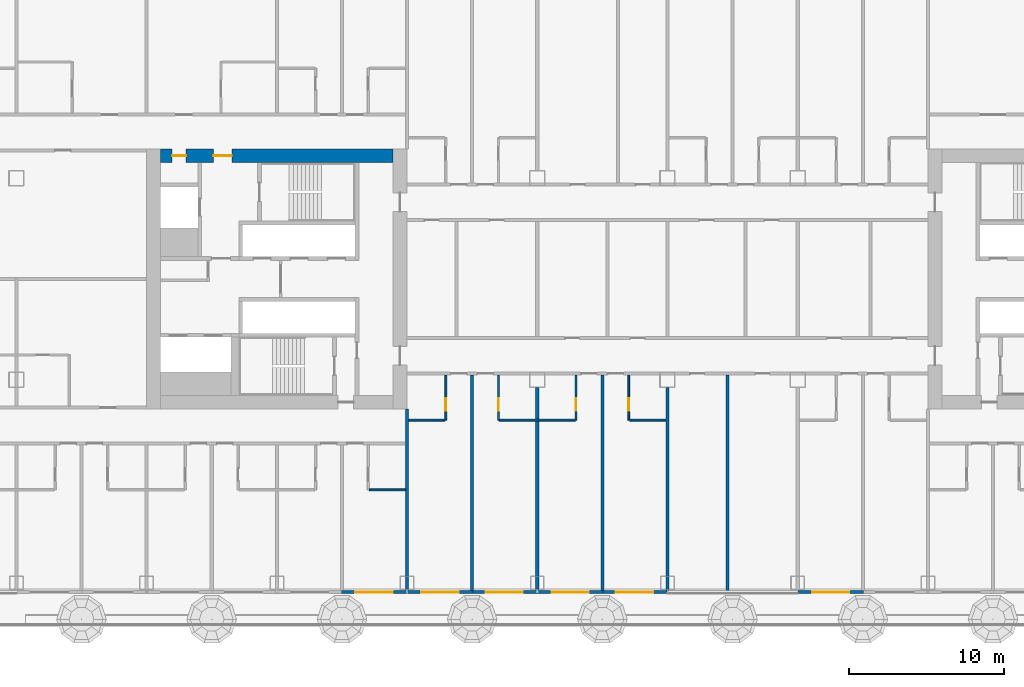
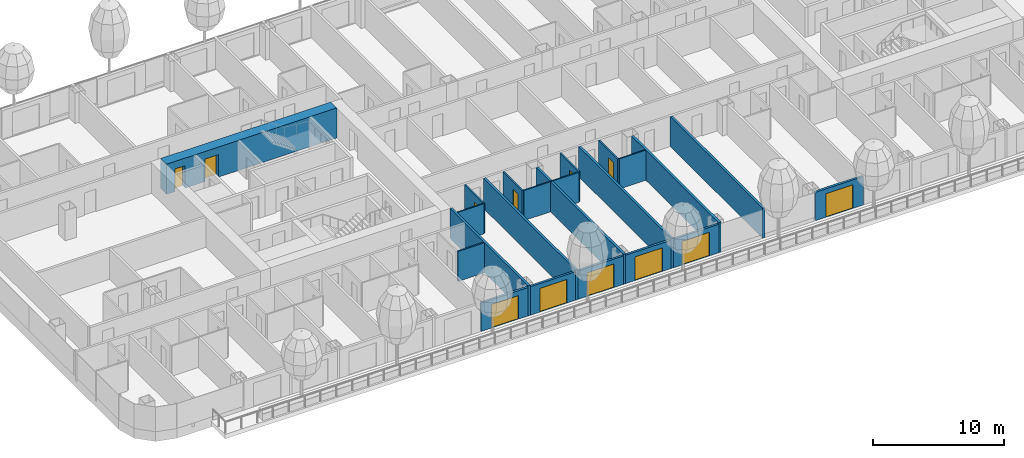
# One storey, part 15 of 37: 21 walls, 12 doors, 12 openings, 1 element without a shape of its own.
"""IFC4 building model written with IfcOpenShell, lengths in metres."""

from ifc_helpers import new_model, si_unit, direction, frame, frame_2d, origin, place, context, subcontext, project, spatial, rectangle, extrude, material, layer, layer_set, type_object, element, fill, aggregate, save


model = new_model("IFC4")

# Units and contexts
model_context = context("Model", 3, precision=1e-05, world=origin(), true_north=direction((0.0, 1.0)))
body_context = subcontext(model_context, "Body", "Model", "MODEL_VIEW")
ifc_project = project(units=[si_unit("LENGTHUNIT", "METRE"), si_unit("AREAUNIT", "SQUARE_METRE"), si_unit("VOLUMEUNIT", "CUBIC_METRE"), si_unit("PLANEANGLEUNIT", "RADIAN"), si_unit("MASSUNIT", "GRAM", prefix="KILO")], contexts=[model_context])

# Site, building, storey
site_placement = place(None, origin())
site = spatial("IfcSite", under=ifc_project, at=site_placement, CompositionType="ELEMENT")
building_placement = place(site_placement, origin())
building = spatial("IfcBuilding", under=site, at=building_placement, Name="Hakoniwa Tower and Hamabe Station Hall", CompositionType="ELEMENT")
storey_placement = place(building_placement, frame((0.0, 0.0, 39.0)))
storey = spatial("IfcBuildingStorey", under=building, at=storey_placement, Name="L10", CompositionType="ELEMENT", Elevation=39.0)

# Walls
ifc_material_1 = material(Name="Gypsum board partition", Category="gypsum")
ifc_layer_1 = layer(ifc_material_1, 0.125)
ifc_layer_set_1 = layer_set([ifc_layer_1], Name="Bathroom Partition 125")
wall_type_1 = type_object("IfcWallType", Name="Bathroom Partition 125", PredefinedType="PARTITIONING", material=ifc_layer_set_1)
wall_1_placement = place(storey_placement, frame((-19.237548828125, -13.60009765625, 0.0), z_axis=(0.0, 0.0, 1.0), x_axis=(1.0, 0.0, 0.0)))
element("IfcWall", 1, at=wall_1_placement, inside=storey, type_object=wall_type_1, Name="GW-L10-005", PredefinedType="PARTITIONING", context=body_context, shape_type="SweptSolid", body=[
    extrude(rectangle(XDim=2.337646484375, YDim=0.125, at=frame_2d((1.1689453125, 0.0))), origin(), (0.0, 0.0, 1.0), 2.800048828125),
])
wall_2_placement = place(storey_placement, frame((-16.699951171875, -9.10009765625, 0.0), z_axis=(0.0, 0.0, 1.0), x_axis=(1.0, 0.0, 0.0)))
element("IfcWall", 2, at=wall_2_placement, inside=storey, type_object=wall_type_1, Name="GW-L10-013", PredefinedType="PARTITIONING", context=body_context, shape_type="SweptSolid", body=[
    extrude(rectangle(XDim=2.33740234375, YDim=0.125, at=frame_2d((1.168701171875, 0.0))), origin(), (0.0, 0.0, 1.0), 2.800048828125),
])
wall_3_placement = place(storey_placement, frame((-10.83740234375, -9.10009765625, 0.0), z_axis=(0.0, 0.0, 1.0), x_axis=(1.0, 0.0, 0.0)))
element("IfcWall", 3, at=wall_3_placement, inside=storey, type_object=wall_type_1, Name="GW-L10-014", PredefinedType="PARTITIONING", context=body_context, shape_type="SweptSolid", body=[
    extrude(rectangle(XDim=4.875, YDim=0.125, at=frame_2d((2.4375, 0.0))), origin(), (0.0, 0.0, 1.0), 2.800048828125),
])
wall_4_placement = place(storey_placement, frame((-2.4375, -9.10009765625, 0.0), z_axis=(0.0, 0.0, 1.0), x_axis=(1.0, 0.0, 0.0)))
element("IfcWall", 4, at=wall_4_placement, inside=storey, type_object=wall_type_1, Name="GW-L10-015", PredefinedType="PARTITIONING", context=body_context, shape_type="SweptSolid", body=[
    extrude(rectangle(XDim=2.33740234375, YDim=0.125, at=frame_2d((1.168701171875, 0.0))), origin(), (0.0, 0.0, 1.0), 2.800048828125),
])

# Wall, opening, door
wall_5_placement = place(storey_placement, frame((-14.300048828125, -9.10009765625, 0.0), z_axis=(0.0, 0.0, 1.0), x_axis=(0.0, 1.0, 0.0)))
wall_5 = element("IfcWall", 5, at=wall_5_placement, inside=storey, type_object=wall_type_1, Name="GW-L10-078", PredefinedType="PARTITIONING", context=body_context, shape_type="SweptSolid", body=[
    extrude(rectangle(XDim=2.900146484375, YDim=0.125, at=frame_2d((1.4501953125, 0.0))), origin(), (0.0, 0.0, 1.0), 2.800048828125),
])
opening_1_placement = place(wall_5_placement, frame((0.60009765625, 0.0, 0.0)))
opening_1 = element("IfcOpeningElement", 6, at=opening_1_placement, cuts=wall_5, Name="Opening GD-G1B1-78", PredefinedType="OPENING", context=body_context, shape_type="SweptSolid", body=[
    extrude(rectangle(XDim=0.800048828125, YDim=2.10009765625, at=frame_2d((0.39990234375, 1.050048828125))), frame((0.0, 0.072509765625, 0.0), z_axis=(0.0, -1.0, 0.0), x_axis=(1.0, 0.0, 0.0)), (0.0, 0.0, 1.0), 0.14501953125),
])
ifc_material_2 = material(Name="Timber door leaf", Category="wood")
door_type_1 = type_object("IfcDoorType", Name="Bathroom Door 800", OperationType="SINGLE_SWING_LEFT", PredefinedType="DOOR", material=ifc_material_2)
door_1_placement = place(opening_1_placement, origin())
door_1 = element("IfcDoor", 7, at=door_1_placement, inside=storey, type_object=door_type_1, Name="Door GD-G1B1-78", OperationType="SINGLE_SWING_RIGHT", OverallHeight=2.10009765625, OverallWidth=0.800048828125, PredefinedType="DOOR", context=body_context, shape_type="SweptSolid", body=[
    extrude(rectangle(XDim=0.800048828125, YDim=2.10009765625, at=frame_2d((0.39990234375, 1.050048828125))), frame((0.0, 0.02490234375, 0.0), z_axis=(0.0, -1.0, 0.0), x_axis=(1.0, 0.0, 0.0)), (0.0, 0.0, 1.0), 0.050048828125),
])
fill(opening_1, door_1)

wall_6_placement = place(storey_placement, frame((-10.89990234375, -9.10009765625, 0.0), z_axis=(0.0, 0.0, 1.0), x_axis=(0.0, 1.0, 0.0)))
wall_6 = element("IfcWall", 8, at=wall_6_placement, inside=storey, type_object=wall_type_1, Name="GW-L10-083", PredefinedType="PARTITIONING", context=body_context, shape_type="SweptSolid", body=[
    extrude(rectangle(XDim=2.900146484375, YDim=0.125, at=frame_2d((1.4501953125, 0.0))), origin(), (0.0, 0.0, 1.0), 2.800048828125),
])
opening_2_placement = place(wall_6_placement, frame((0.60009765625, 0.0, 0.0)))
opening_2 = element("IfcOpeningElement", 9, at=opening_2_placement, cuts=wall_6, Name="Opening GD-G1B1-80", PredefinedType="OPENING", context=body_context, shape_type="SweptSolid", body=[
    extrude(rectangle(XDim=0.800048828125, YDim=2.10009765625, at=frame_2d((0.39990234375, 1.050048828125))), frame((0.0, 0.072509765625, 0.0), z_axis=(0.0, -1.0, 0.0), x_axis=(1.0, 0.0, 0.0)), (0.0, 0.0, 1.0), 0.14501953125),
])
door_2_placement = place(opening_2_placement, origin())
door_2 = element("IfcDoor", 10, at=door_2_placement, inside=storey, type_object=door_type_1, Name="Door GD-G1B1-80", OperationType="SINGLE_SWING_LEFT", OverallHeight=2.10009765625, OverallWidth=0.800048828125, PredefinedType="DOOR", context=body_context, shape_type="SweptSolid", body=[
    extrude(rectangle(XDim=0.800048828125, YDim=2.10009765625, at=frame_2d((0.39990234375, 1.050048828125))), frame((0.0, 0.02490234375, 0.0), z_axis=(0.0, -1.0, 0.0), x_axis=(1.0, 0.0, 0.0)), (0.0, 0.0, 1.0), 0.050048828125),
])
fill(opening_2, door_2)

wall_7_placement = place(storey_placement, frame((-5.89990234375, -9.10009765625, 0.0), z_axis=(0.0, 0.0, 1.0), x_axis=(0.0, 1.0, 0.0)))
wall_7 = element("IfcWall", 11, at=wall_7_placement, inside=storey, type_object=wall_type_1, Name="GW-L10-088", PredefinedType="PARTITIONING", context=body_context, shape_type="SweptSolid", body=[
    extrude(rectangle(XDim=2.900146484375, YDim=0.125, at=frame_2d((1.4501953125, 0.0))), origin(), (0.0, 0.0, 1.0), 2.800048828125),
])
opening_3_placement = place(wall_7_placement, frame((0.60009765625, 0.0, 0.0)))
opening_3 = element("IfcOpeningElement", 12, at=opening_3_placement, cuts=wall_7, Name="Opening GD-G1B1-82", PredefinedType="OPENING", context=body_context, shape_type="SweptSolid", body=[
    extrude(rectangle(XDim=0.800048828125, YDim=2.10009765625, at=frame_2d((0.39990234375, 1.050048828125))), frame((0.0, 0.072509765625, 0.0), z_axis=(0.0, -1.0, 0.0), x_axis=(1.0, 0.0, 0.0)), (0.0, 0.0, 1.0), 0.14501953125),
])
door_3_placement = place(opening_3_placement, origin())
door_3 = element("IfcDoor", 13, at=door_3_placement, inside=storey, type_object=door_type_1, Name="Door GD-G1B1-82", OperationType="SINGLE_SWING_RIGHT", OverallHeight=2.10009765625, OverallWidth=0.800048828125, PredefinedType="DOOR", context=body_context, shape_type="SweptSolid", body=[
    extrude(rectangle(XDim=0.800048828125, YDim=2.10009765625, at=frame_2d((0.39990234375, 1.050048828125))), frame((0.0, 0.02490234375, 0.0), z_axis=(0.0, -1.0, 0.0), x_axis=(1.0, 0.0, 0.0)), (0.0, 0.0, 1.0), 0.050048828125),
])
fill(opening_3, door_3)

wall_8_placement = place(storey_placement, frame((-2.5, -9.10009765625, 0.0), z_axis=(0.0, 0.0, 1.0), x_axis=(0.0, 1.0, 0.0)))
wall_8 = element("IfcWall", 14, at=wall_8_placement, inside=storey, type_object=wall_type_1, Name="GW-L10-092", PredefinedType="PARTITIONING", context=body_context, shape_type="SweptSolid", body=[
    extrude(rectangle(XDim=2.900146484375, YDim=0.125, at=frame_2d((1.4501953125, 0.0))), origin(), (0.0, 0.0, 1.0), 2.800048828125),
])
opening_4_placement = place(wall_8_placement, frame((0.60009765625, 0.0, 0.0)))
opening_4 = element("IfcOpeningElement", 15, at=opening_4_placement, cuts=wall_8, Name="Opening GD-G1B1-83", PredefinedType="OPENING", context=body_context, shape_type="SweptSolid", body=[
    extrude(rectangle(XDim=0.800048828125, YDim=2.10009765625, at=frame_2d((0.39990234375, 1.050048828125))), frame((0.0, 0.072509765625, 0.0), z_axis=(0.0, -1.0, 0.0), x_axis=(1.0, 0.0, 0.0)), (0.0, 0.0, 1.0), 0.14501953125),
])
door_4_placement = place(opening_4_placement, origin())
door_4 = element("IfcDoor", 16, at=door_4_placement, inside=storey, type_object=door_type_1, Name="Door GD-G1B1-83", OperationType="SINGLE_SWING_LEFT", OverallHeight=2.10009765625, OverallWidth=0.800048828125, PredefinedType="DOOR", context=body_context, shape_type="SweptSolid", body=[
    extrude(rectangle(XDim=0.800048828125, YDim=2.10009765625, at=frame_2d((0.39990234375, 1.050048828125))), frame((0.0, 0.02490234375, 0.0), z_axis=(0.0, -1.0, 0.0), x_axis=(1.0, 0.0, 0.0)), (0.0, 0.0, 1.0), 0.050048828125),
])
fill(opening_4, door_4)

# Wall, openings, doors
ifc_material_3 = material(Name="Concrete C80", Category="concrete")
ifc_layer_2 = layer(ifc_material_3, 0.89990234375)
ifc_layer_set_2 = layer_set([ifc_layer_2], Name="CORE WALL 900 C80")
wall_type_2 = type_object("IfcWallType", Name="CORE WALL 900 C80", PredefinedType="SHEAR", material=ifc_layer_set_2)
wall_9_placement = place(storey_placement, frame((-32.699951171875, 7.949951171875, 0.0), z_axis=(0.0, 0.0, 1.0), x_axis=(1.0, 0.0, 0.0)))
wall_9 = element("IfcWall", 17, at=wall_9_placement, inside=storey, type_object=wall_type_2, Name="Core wall NORTH west", PredefinedType="SHEAR", context=body_context, shape_type="SweptSolid", body=[
    extrude(rectangle(XDim=15.0, YDim=0.89990234375, at=frame_2d((7.5, 0.0))), origin(), (0.0, 0.0, 1.0), 2.800048828125),
])
opening_5_placement = place(wall_9_placement, frame((3.39990234375, 0.0, 0.0)))
opening_5 = element("IfcOpeningElement", 18, at=opening_5_placement, cuts=wall_9, Name="Opening CD-W-FN1-12", PredefinedType="OPENING", context=body_context, shape_type="SweptSolid", body=[
    extrude(rectangle(XDim=1.199951171875, YDim=2.10009765625, at=frame_2d((0.60009765625, 1.050048828125))), frame((0.0, 0.4599609375, 0.0), z_axis=(0.0, -1.0, 0.0), x_axis=(1.0, 0.0, 0.0)), (0.0, 0.0, 1.0), 0.919921875),
])
opening_6_placement = place(wall_9_placement, frame((0.75, 0.0, 0.0)))
opening_6 = element("IfcOpeningElement", 19, at=opening_6_placement, cuts=wall_9, Name="Opening CD-W-FN2-9", PredefinedType="OPENING", context=body_context, shape_type="SweptSolid", body=[
    extrude(rectangle(XDim=0.89990234375, YDim=2.10009765625, at=frame_2d((0.449951171875, 1.050048828125))), frame((0.0, 0.4599609375, 0.0), z_axis=(0.0, -1.0, 0.0), x_axis=(1.0, 0.0, 0.0)), (0.0, 0.0, 1.0), 0.919921875),
])
ifc_material_4 = material(Name="Steel fire door", Category="steel")
door_type_2 = type_object("IfcDoorType", Name="CORE DOOR 1200 FD60", OperationType="DOUBLE_DOOR_SINGLE_SWING", PredefinedType="DOOR", material=ifc_material_4)
door_5_placement = place(opening_5_placement, origin())
door_5 = element("IfcDoor", 20, at=door_5_placement, inside=storey, type_object=door_type_2, Name="Stair vestibule door to the fire-fighting lobby", OperationType="DOUBLE_DOOR_SINGLE_SWING", OverallHeight=2.10009765625, OverallWidth=1.199951171875, PredefinedType="DOOR", context=body_context, shape_type="SweptSolid", body=[
    extrude(rectangle(XDim=1.199951171875, YDim=2.10009765625, at=frame_2d((0.60009765625, 1.050048828125))), frame((0.0, 0.02490234375, 0.0), z_axis=(0.0, -1.0, 0.0), x_axis=(1.0, 0.0, 0.0)), (0.0, 0.0, 1.0), 0.050048828125),
])
fill(opening_5, door_5)
ifc_material_5 = material(Name="Steel fire door", Category="steel")
door_type_3 = type_object("IfcDoorType", Name="CORE DOOR 900 FD30", OperationType="NOTDEFINED", PredefinedType="DOOR", material=ifc_material_5)
door_6_placement = place(opening_6_placement, origin())
door_6 = element("IfcDoor", 21, at=door_6_placement, inside=storey, type_object=door_type_3, Name="Riser access door", OperationType="SINGLE_SWING_RIGHT", OverallHeight=2.10009765625, OverallWidth=0.89990234375, PredefinedType="DOOR", context=body_context, shape_type="SweptSolid", body=[
    extrude(rectangle(XDim=0.89990234375, YDim=2.10009765625, at=frame_2d((0.449951171875, 1.050048828125))), frame((0.0, 0.02490234375, 0.0), z_axis=(0.0, -1.0, 0.0), x_axis=(1.0, 0.0, 0.0)), (0.0, 0.0, 1.0), 0.050048828125),
])
fill(opening_6, door_6)

# Curtain wall, walls, openings, doors
ifc_material_6 = material(Name="Dark low-e laminated glass", Category="glass")
ifc_layer_3 = layer(ifc_material_6, 0.199951171875)
ifc_layer_set_3 = layer_set([ifc_layer_3], Name="CW-1 UNITISED GUEST")
curtain_wall_type = type_object("IfcCurtainWallType", Name="CW-1 UNITISED GUEST", PredefinedType="NOTDEFINED", material=ifc_layer_set_3)
curtain_wall_placement = place(storey_placement, origin())
curtain_wall = element("IfcCurtainWall", 22, at=curtain_wall_placement, inside=storey, type_object=curtain_wall_type, Name="CW-1 curtain wall", PredefinedType="NOTDEFINED")
ifc_material_7 = material(Name="Dark glass-faced aluminium panel", Category="aluminium")
ifc_layer_4 = layer(ifc_material_7, 0.199951171875)
ifc_layer_set_4 = layer_set([ifc_layer_4], Name="DOOR BAY WALL")
wall_type_3 = type_object("IfcWallType", Name="DOOR BAY WALL", PredefinedType="NOTDEFINED", material=ifc_layer_set_4)
wall_10_placement = place(storey_placement, frame((-21.0400390625, -20.199951171875, 0.0), z_axis=(0.0, 0.0, 1.0), x_axis=(1.0, 0.0, 0.0)))
wall_10 = element("IfcWall", 23, at=wall_10_placement, type_object=wall_type_3, Name="Door bay wall", PredefinedType="NOTDEFINED", context=body_context, shape_type="SweptSolid", body=[
    extrude(rectangle(XDim=4.219970703125, YDim=0.199951171875, at=frame_2d((2.10986328125, 0.0))), origin(), (0.0, 0.0, 1.0), 2.64990234375),
])
opening_7_placement = place(wall_10_placement, frame((0.909912109375, 0.0, 0.0)))
opening_7 = element("IfcOpeningElement", 24, at=opening_7_placement, cuts=wall_10, Name="Opening BD-S07-28", PredefinedType="OPENING", context=body_context, shape_type="SweptSolid", body=[
    extrude(rectangle(XDim=2.39990234375, YDim=2.199951171875, at=frame_2d((1.199951171875, 1.10009765625))), frame((0.0, 0.10986328125, 0.0), z_axis=(0.0, -1.0, 0.0), x_axis=(1.0, 0.0, 0.0)), (0.0, 0.0, 1.0), 0.219970703125),
])
ifc_material_8 = material(Name="Dark low-e laminated glass", Category="glass")
door_type_4 = type_object("IfcDoorType", Name="BALCONY SLIDING DOOR 2400X2200", OperationType="SLIDING_TO_LEFT", PredefinedType="DOOR", material=ifc_material_8)
door_7_placement = place(opening_7_placement, frame((2.39990234375, 0.0, 0.0), z_axis=(0.0, 0.0, 1.0), x_axis=(-1.0, 0.0, 0.0)))
door_7 = element("IfcDoor", 25, at=door_7_placement, inside=storey, type_object=door_type_4, Name="Balcony sliding door", OperationType="SLIDING_TO_LEFT", OverallHeight=2.199951171875, OverallWidth=2.39990234375, PredefinedType="DOOR", context=body_context, shape_type="SweptSolid", body=[
    extrude(rectangle(XDim=2.39990234375, YDim=2.199951171875, at=frame_2d((1.199951171875, 1.10009765625))), frame((0.0, 0.02490234375, 0.0), z_axis=(0.0, -1.0, 0.0), x_axis=(1.0, 0.0, 0.0)), (0.0, 0.0, 1.0), 0.050048828125),
])
fill(opening_7, door_7)
wall_11_placement = place(storey_placement, frame((-16.780029296875, -20.199951171875, 0.0), z_axis=(0.0, 0.0, 1.0), x_axis=(1.0, 0.0, 0.0)))
wall_11 = element("IfcWall", 26, at=wall_11_placement, type_object=wall_type_3, Name="Door bay wall", PredefinedType="NOTDEFINED", context=body_context, shape_type="SweptSolid", body=[
    extrude(rectangle(XDim=4.219970703125, YDim=0.199951171875, at=frame_2d((2.10986328125, 0.0))), origin(), (0.0, 0.0, 1.0), 2.64990234375),
])
opening_8_placement = place(wall_11_placement, frame((0.909912109375, 0.0, 0.0)))
opening_8 = element("IfcOpeningElement", 27, at=opening_8_placement, cuts=wall_11, Name="Opening BD-S07-7", PredefinedType="OPENING", context=body_context, shape_type="SweptSolid", body=[
    extrude(rectangle(XDim=2.39990234375, YDim=2.199951171875, at=frame_2d((1.199951171875, 1.10009765625))), frame((0.0, 0.10986328125, 0.0), z_axis=(0.0, -1.0, 0.0), x_axis=(1.0, 0.0, 0.0)), (0.0, 0.0, 1.0), 0.219970703125),
])
door_8_placement = place(opening_8_placement, frame((2.39990234375, 0.0, 0.0), z_axis=(0.0, 0.0, 1.0), x_axis=(-1.0, 0.0, 0.0)))
door_8 = element("IfcDoor", 28, at=door_8_placement, inside=storey, type_object=door_type_4, Name="Balcony sliding door", OperationType="SLIDING_TO_LEFT", OverallHeight=2.199951171875, OverallWidth=2.39990234375, PredefinedType="DOOR", context=body_context, shape_type="SweptSolid", body=[
    extrude(rectangle(XDim=2.39990234375, YDim=2.199951171875, at=frame_2d((1.199951171875, 1.10009765625))), frame((0.0, 0.02490234375, 0.0), z_axis=(0.0, -1.0, 0.0), x_axis=(1.0, 0.0, 0.0)), (0.0, 0.0, 1.0), 0.050048828125),
])
fill(opening_8, door_8)
wall_12_placement = place(storey_placement, frame((-12.639892578125, -20.199951171875, 0.0), z_axis=(0.0, 0.0, 1.0), x_axis=(1.0, 0.0, 0.0)))
wall_12 = element("IfcWall", 29, at=wall_12_placement, type_object=wall_type_3, Name="Door bay wall", PredefinedType="NOTDEFINED", context=body_context, shape_type="SweptSolid", body=[
    extrude(rectangle(XDim=4.219970703125, YDim=0.199951171875, at=frame_2d((2.10986328125, 0.0))), origin(), (0.0, 0.0, 1.0), 2.64990234375),
])
opening_9_placement = place(wall_12_placement, frame((0.909912109375, 0.0, 0.0)))
opening_9 = element("IfcOpeningElement", 30, at=opening_9_placement, cuts=wall_12, Name="Opening BD-S07-8", PredefinedType="OPENING", context=body_context, shape_type="SweptSolid", body=[
    extrude(rectangle(XDim=2.39990234375, YDim=2.199951171875, at=frame_2d((1.199951171875, 1.10009765625))), frame((0.0, 0.10986328125, 0.0), z_axis=(0.0, -1.0, 0.0), x_axis=(1.0, 0.0, 0.0)), (0.0, 0.0, 1.0), 0.219970703125),
])
door_9_placement = place(opening_9_placement, frame((2.39990234375, 0.0, 0.0), z_axis=(0.0, 0.0, 1.0), x_axis=(-1.0, 0.0, 0.0)))
door_9 = element("IfcDoor", 31, at=door_9_placement, inside=storey, type_object=door_type_4, Name="Balcony sliding door", OperationType="SLIDING_TO_LEFT", OverallHeight=2.199951171875, OverallWidth=2.39990234375, PredefinedType="DOOR", context=body_context, shape_type="SweptSolid", body=[
    extrude(rectangle(XDim=2.39990234375, YDim=2.199951171875, at=frame_2d((1.199951171875, 1.10009765625))), frame((0.0, 0.02490234375, 0.0), z_axis=(0.0, -1.0, 0.0), x_axis=(1.0, 0.0, 0.0)), (0.0, 0.0, 1.0), 0.050048828125),
])
fill(opening_9, door_9)
wall_13_placement = place(storey_placement, frame((-8.3798828125, -20.199951171875, 0.0), z_axis=(0.0, 0.0, 1.0), x_axis=(1.0, 0.0, 0.0)))
wall_13 = element("IfcWall", 32, at=wall_13_placement, type_object=wall_type_3, Name="Door bay wall", PredefinedType="NOTDEFINED", context=body_context, shape_type="SweptSolid", body=[
    extrude(rectangle(XDim=4.219970703125, YDim=0.199951171875, at=frame_2d((2.10986328125, 0.0))), origin(), (0.0, 0.0, 1.0), 2.64990234375),
])
opening_10_placement = place(wall_13_placement, frame((0.909912109375, 0.0, 0.0)))
opening_10 = element("IfcOpeningElement", 33, at=opening_10_placement, cuts=wall_13, Name="Opening BD-S07-9", PredefinedType="OPENING", context=body_context, shape_type="SweptSolid", body=[
    extrude(rectangle(XDim=2.39990234375, YDim=2.199951171875, at=frame_2d((1.199951171875, 1.10009765625))), frame((0.0, 0.10986328125, 0.0), z_axis=(0.0, -1.0, 0.0), x_axis=(1.0, 0.0, 0.0)), (0.0, 0.0, 1.0), 0.219970703125),
])
door_10_placement = place(opening_10_placement, frame((2.39990234375, 0.0, 0.0), z_axis=(0.0, 0.0, 1.0), x_axis=(-1.0, 0.0, 0.0)))
door_10 = element("IfcDoor", 34, at=door_10_placement, inside=storey, type_object=door_type_4, Name="Balcony sliding door", OperationType="SLIDING_TO_LEFT", OverallHeight=2.199951171875, OverallWidth=2.39990234375, PredefinedType="DOOR", context=body_context, shape_type="SweptSolid", body=[
    extrude(rectangle(XDim=2.39990234375, YDim=2.199951171875, at=frame_2d((1.199951171875, 1.10009765625))), frame((0.0, 0.02490234375, 0.0), z_axis=(0.0, -1.0, 0.0), x_axis=(1.0, 0.0, 0.0)), (0.0, 0.0, 1.0), 0.050048828125),
])
fill(opening_10, door_10)
wall_14_placement = place(storey_placement, frame((-4.239990234375, -20.199951171875, 0.0), z_axis=(0.0, 0.0, 1.0), x_axis=(1.0, 0.0, 0.0)))
wall_14 = element("IfcWall", 35, at=wall_14_placement, type_object=wall_type_3, Name="Door bay wall", PredefinedType="NOTDEFINED", context=body_context, shape_type="SweptSolid", body=[
    extrude(rectangle(XDim=4.219970703125, YDim=0.199951171875, at=frame_2d((2.10986328125, 0.0))), origin(), (0.0, 0.0, 1.0), 2.64990234375),
])
opening_11_placement = place(wall_14_placement, frame((0.909912109375, 0.0, 0.0)))
opening_11 = element("IfcOpeningElement", 36, at=opening_11_placement, cuts=wall_14, Name="Opening BD-S07-10", PredefinedType="OPENING", context=body_context, shape_type="SweptSolid", body=[
    extrude(rectangle(XDim=2.39990234375, YDim=2.199951171875, at=frame_2d((1.199951171875, 1.10009765625))), frame((0.0, 0.10986328125, 0.0), z_axis=(0.0, -1.0, 0.0), x_axis=(1.0, 0.0, 0.0)), (0.0, 0.0, 1.0), 0.219970703125),
])
door_11_placement = place(opening_11_placement, frame((2.39990234375, 0.0, 0.0), z_axis=(0.0, 0.0, 1.0), x_axis=(-1.0, 0.0, 0.0)))
door_11 = element("IfcDoor", 37, at=door_11_placement, inside=storey, type_object=door_type_4, Name="Balcony sliding door", OperationType="SLIDING_TO_LEFT", OverallHeight=2.199951171875, OverallWidth=2.39990234375, PredefinedType="DOOR", context=body_context, shape_type="SweptSolid", body=[
    extrude(rectangle(XDim=2.39990234375, YDim=2.199951171875, at=frame_2d((1.199951171875, 1.10009765625))), frame((0.0, 0.02490234375, 0.0), z_axis=(0.0, -1.0, 0.0), x_axis=(1.0, 0.0, 0.0)), (0.0, 0.0, 1.0), 0.050048828125),
])
fill(opening_11, door_11)
wall_15_placement = place(storey_placement, frame((8.419921875, -20.199951171875, 0.0), z_axis=(0.0, 0.0, 1.0), x_axis=(1.0, 0.0, 0.0)))
wall_15 = element("IfcWall", 38, at=wall_15_placement, type_object=wall_type_3, Name="Door bay wall", PredefinedType="NOTDEFINED", context=body_context, shape_type="SweptSolid", body=[
    extrude(rectangle(XDim=4.219970703125, YDim=0.199951171875, at=frame_2d((2.10986328125, 0.0))), origin(), (0.0, 0.0, 1.0), 2.64990234375),
])
opening_12_placement = place(wall_15_placement, frame((0.909912109375, 0.0, 0.0)))
opening_12 = element("IfcOpeningElement", 39, at=opening_12_placement, cuts=wall_15, Name="Opening BD-S07-11", PredefinedType="OPENING", context=body_context, shape_type="SweptSolid", body=[
    extrude(rectangle(XDim=2.39990234375, YDim=2.199951171875, at=frame_2d((1.199951171875, 1.10009765625))), frame((0.0, 0.10986328125, 0.0), z_axis=(0.0, -1.0, 0.0), x_axis=(1.0, 0.0, 0.0)), (0.0, 0.0, 1.0), 0.219970703125),
])
door_12_placement = place(opening_12_placement, frame((2.39990234375, 0.0, 0.0), z_axis=(0.0, 0.0, 1.0), x_axis=(-1.0, 0.0, 0.0)))
door_12 = element("IfcDoor", 40, at=door_12_placement, inside=storey, type_object=door_type_4, Name="Balcony sliding door", OperationType="SLIDING_TO_LEFT", OverallHeight=2.199951171875, OverallWidth=2.39990234375, PredefinedType="DOOR", context=body_context, shape_type="SweptSolid", body=[
    extrude(rectangle(XDim=2.39990234375, YDim=2.199951171875, at=frame_2d((1.199951171875, 1.10009765625))), frame((0.0, 0.02490234375, 0.0), z_axis=(0.0, -1.0, 0.0), x_axis=(1.0, 0.0, 0.0)), (0.0, 0.0, 1.0), 0.050048828125),
])
fill(opening_12, door_12)
aggregate(curtain_wall, [wall_10, wall_11, wall_12, wall_13, wall_14, wall_15])

# Walls
ifc_material_9 = material(Name="Fire-rated gypsum board partition", Category="gypsum")
ifc_layer_5 = layer(ifc_material_9, 0.199951171875)
ifc_layer_set_5 = layer_set([ifc_layer_5], Name="Party Wall 200")
wall_type_4 = type_object("IfcWallType", Name="Party Wall 200", PredefinedType="PARTITIONING", material=ifc_layer_set_5)
wall_16_placement = place(storey_placement, frame((-16.800048828125, -20.300048828125, 0.0), z_axis=(0.0, 0.0, 1.0), x_axis=(0.0, 1.0, 0.0)))
element("IfcWall", 41, at=wall_16_placement, inside=storey, type_object=wall_type_4, Name="GW-L10-076", PredefinedType="PARTITIONING", context=body_context, shape_type="SweptSolid", body=[
    extrude(rectangle(XDim=11.91015625, YDim=0.199951171875, at=frame_2d((5.955078125, 0.0))), origin(), (0.0, 0.0, 1.0), 2.800048828125),
])
wall_17_placement = place(storey_placement, frame((-12.60009765625, -20.300048828125, 0.0), z_axis=(0.0, 0.0, 1.0), x_axis=(0.0, 1.0, 0.0)))
element("IfcWall", 42, at=wall_17_placement, inside=storey, type_object=wall_type_4, Name="GW-L10-081", PredefinedType="PARTITIONING", context=body_context, shape_type="SweptSolid", body=[
    extrude(rectangle(XDim=14.10009765625, YDim=0.199951171875, at=frame_2d((7.050048828125, 0.0))), origin(), (0.0, 0.0, 1.0), 2.800048828125),
])
wall_18_placement = place(storey_placement, frame((-8.39990234375, -20.300048828125, 0.0), z_axis=(0.0, 0.0, 1.0), x_axis=(0.0, 1.0, 0.0)))
element("IfcWall", 43, at=wall_18_placement, inside=storey, type_object=wall_type_4, Name="GW-L10-085", PredefinedType="PARTITIONING", context=body_context, shape_type="SweptSolid", body=[
    extrude(rectangle(XDim=13.31005859375, YDim=0.199951171875, at=frame_2d((6.655029296875, 0.0))), origin(), (0.0, 0.0, 1.0), 2.800048828125),
])
wall_19_placement = place(storey_placement, frame((-4.199951171875, -20.300048828125, 0.0), z_axis=(0.0, 0.0, 1.0), x_axis=(0.0, 1.0, 0.0)))
element("IfcWall", 44, at=wall_19_placement, inside=storey, type_object=wall_type_4, Name="GW-L10-089", PredefinedType="PARTITIONING", context=body_context, shape_type="SweptSolid", body=[
    extrude(rectangle(XDim=14.10009765625, YDim=0.199951171875, at=frame_2d((7.050048828125, 0.0))), origin(), (0.0, 0.0, 1.0), 2.800048828125),
])
wall_20_placement = place(storey_placement, frame((0.0, -20.300048828125, 0.0), z_axis=(0.0, 0.0, 1.0), x_axis=(0.0, 1.0, 0.0)))
element("IfcWall", 45, at=wall_20_placement, inside=storey, type_object=wall_type_4, Name="GW-L10-093", PredefinedType="PARTITIONING", context=body_context, shape_type="SweptSolid", body=[
    extrude(rectangle(XDim=13.31005859375, YDim=0.199951171875, at=frame_2d((6.655029296875, 0.0))), origin(), (0.0, 0.0, 1.0), 2.800048828125),
])
wall_21_placement = place(storey_placement, frame((3.860107421875, -20.300048828125, 0.0), z_axis=(0.0, 0.0, 1.0), x_axis=(0.0, 1.0, 0.0)))
element("IfcWall", 46, at=wall_21_placement, inside=storey, type_object=wall_type_4, Name="GW-L10-097", PredefinedType="PARTITIONING", context=body_context, shape_type="SweptSolid", body=[
    extrude(rectangle(XDim=14.10009765625, YDim=0.199951171875, at=frame_2d((7.050048828125, 0.0))), origin(), (0.0, 0.0, 1.0), 2.800048828125),
])

save(model, "model.ifc")
